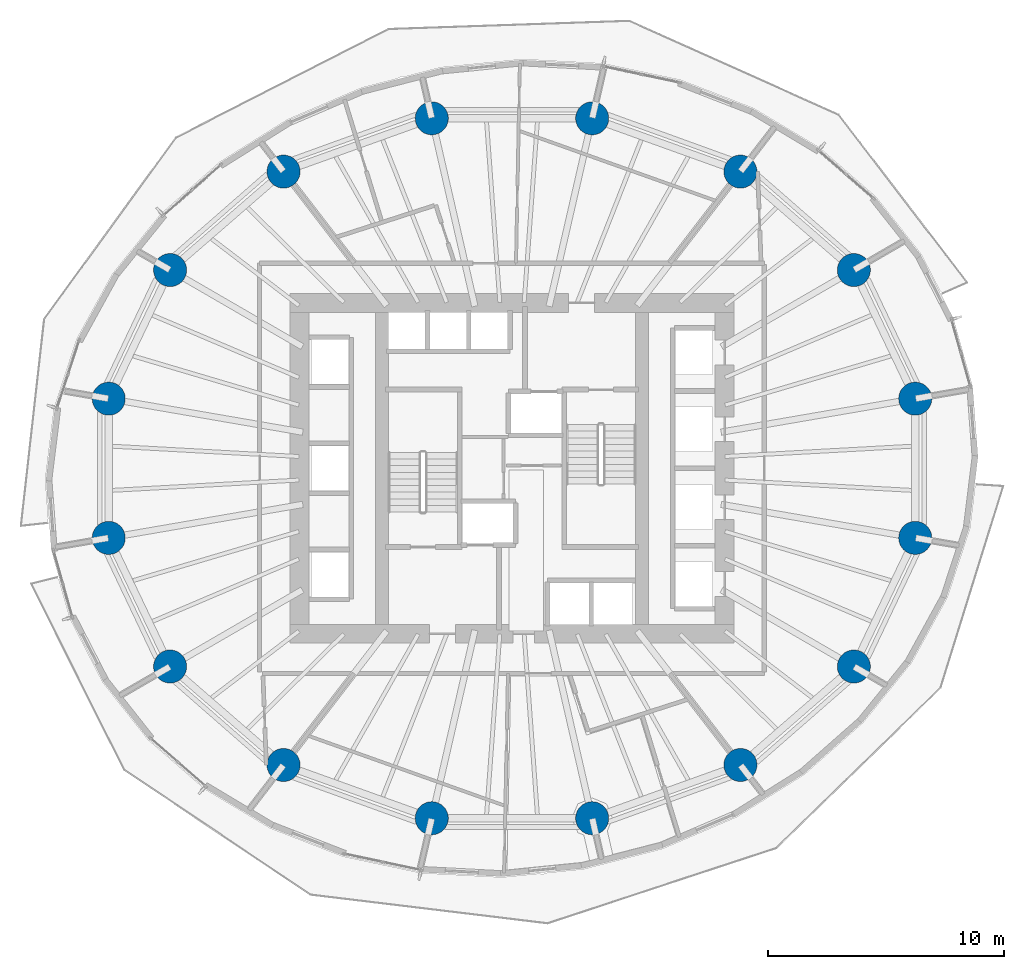
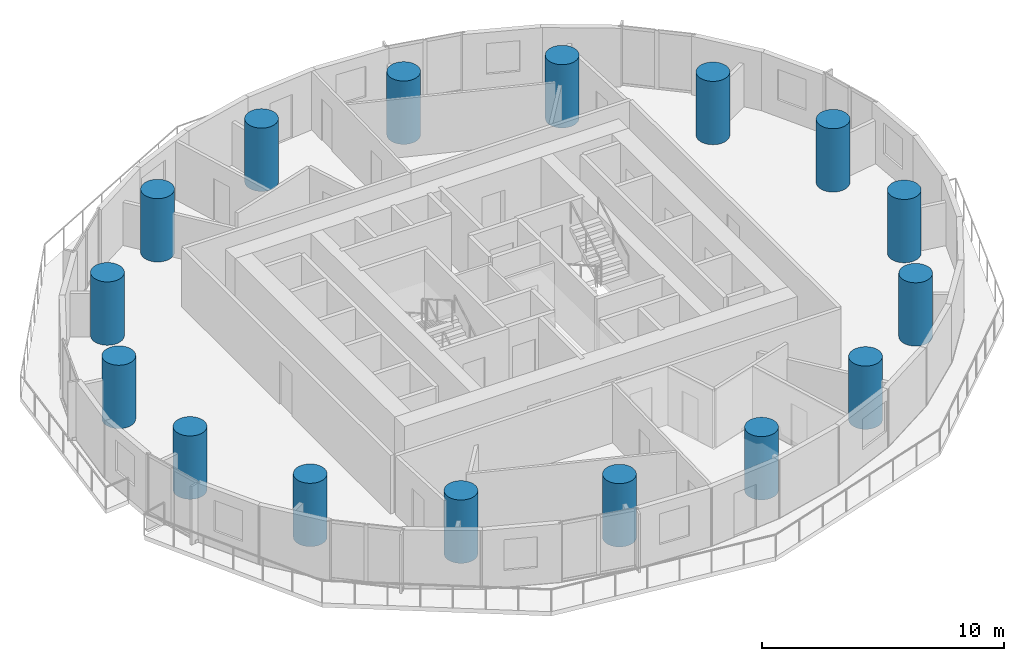
# One storey, part 1 of 14: 16 columns.
"""IFC4 building model written with IfcOpenShell, lengths in metres."""

from ifc_helpers import new_model, si_unit, direction, frame, origin, origin_2d, place, context, subcontext, project, spatial, circle, extrude, material, material_profile, profile_set, type_object, element, save


model = new_model("IFC4")

# Units and contexts
model_context = context("Model", 3, precision=1e-05, world=origin(), true_north=direction((0.0, 1.0)))
body_context = subcontext(model_context, "Body", "Model", "MODEL_VIEW")
ifc_project = project(units=[si_unit("LENGTHUNIT", "METRE"), si_unit("AREAUNIT", "SQUARE_METRE"), si_unit("VOLUMEUNIT", "CUBIC_METRE"), si_unit("PLANEANGLEUNIT", "RADIAN"), si_unit("MASSUNIT", "GRAM", prefix="KILO")], contexts=[model_context])

# Site, building, storey
site_placement = place(None, origin())
site = spatial("IfcSite", under=ifc_project, at=site_placement, CompositionType="ELEMENT")
building_placement = place(site_placement, origin())
building = spatial("IfcBuilding", under=site, at=building_placement, Name="Veldorim Arch Residences", CompositionType="ELEMENT")
storey_placement = place(building_placement, frame((0.0, 0.0, 50.39990234375)))
storey = spatial("IfcBuildingStorey", under=building, at=storey_placement, Name="L14", CompositionType="ELEMENT", Elevation=50.39990234375)

# Columns
ifc_material = material(Name="Concrete C60/75", Category="concrete")
ifc_material_profile = material_profile(ifc_material, circle(Radius=0.699951171875, at=origin_2d()), Name="RC_CIRC_1400")
ifc_profile_set = profile_set([ifc_material_profile], Name="Concrete C60/75")
column_type = type_object("IfcColumnType", Name="Structural Column RC_CIRC_1400", PredefinedType="COLUMN", material=ifc_profile_set)
for number, where, z_axis, x_axis, name in (
    (1, (49.065673828125, 26.94580078125, 0.0), (0.0, 0.0, 1.0), (1.0, 0.0, 0.0), "L14 TC-Z1-01 perimeter column"),
    (2, (46.467529296875, 32.38916015625, 0.0), (0.0, 0.0, 1.0), (1.0, 0.0, 0.0), "L14 TC-Z1-02 perimeter column"),
    (3, (41.6669921875, 36.55517578125, 0.0), (0.0, 0.0, 1.0), (1.0, 0.0, 0.0), "L14 TC-Z1-03 perimeter column"),
    (4, (35.39453125, 38.809814453125, 0.0), (0.0, 0.0, 1.0), (1.0, 0.0, 0.0), "L14 TC-Z1-04 perimeter column"),
    (5, (28.60546875, 38.809814453125, 0.0), (0.0, 0.0, 1.0), (1.0, 0.0, 0.0), "L14 TC-Z1-05 perimeter column"),
    (6, (22.3330078125, 36.55517578125, 0.0), (0.0, 0.0, 1.0), (1.0, 0.0, 0.0), "L14 TC-Z1-06 perimeter column"),
    (7, (17.532470703125, 32.38916015625, 0.0), (0.0, 0.0, 1.0), (1.0, 0.0, 0.0), "L14 TC-Z1-07 perimeter column"),
    (8, (14.934326171875, 26.94580078125, 0.0), (0.0, 0.0, 1.0), (1.0, 0.0, 0.0), "L14 TC-Z1-08 perimeter column"),
    (9, (14.934326171875, 21.05419921875, 0.0), (0.0, 0.0, 1.0), (1.0, 0.0, 0.0), "L14 TC-Z1-09 perimeter column"),
    (10, (17.532470703125, 15.61083984375, 0.0), (0.0, 0.0, 1.0), (1.0, 0.0, 0.0), "L14 TC-Z1-10 perimeter column"),
    (11, (22.3330078125, 11.44482421875, 0.0), (0.0, 0.0, 1.0), (1.0, 0.0, 0.0), "L14 TC-Z1-11 perimeter column"),
    (12, (28.60546875, 9.190185546875, 0.0), (0.0, 0.0, 1.0), (1.0, 0.0, 0.0), "L14 TC-Z1-12 perimeter column"),
    (13, (35.39453125, 9.190185546875, 0.0), (0.0, 0.0, 1.0), (1.0, 0.0, 0.0), "L14 TC-Z1-13 perimeter column"),
    (14, (41.6669921875, 11.44482421875, 0.0), (0.0, 0.0, 1.0), (1.0, 0.0, 0.0), "L14 TC-Z1-14 perimeter column"),
    (15, (46.467529296875, 15.61083984375, 0.0), (0.0, 0.0, 1.0), (1.0, 0.0, 0.0), "L14 TC-Z1-15 perimeter column"),
    (16, (49.065673828125, 21.05419921875, 0.0), (0.0, 0.0, 1.0), (1.0, 0.0, 0.0), "L14 TC-Z1-16 perimeter column"),
):
    element("IfcColumn", number, at=place(storey_placement, frame(where, z_axis=z_axis, x_axis=x_axis)), inside=storey, type_object=column_type, Name=name, PredefinedType="COLUMN", context=body_context, shape_type="SweptSolid", body=[
        extrude(circle(Radius=0.699951171875, at=origin_2d()), origin(), (0.0, 0.0, 1.0), 3.2001953125),
    ])

save(model, "model.ifc")
